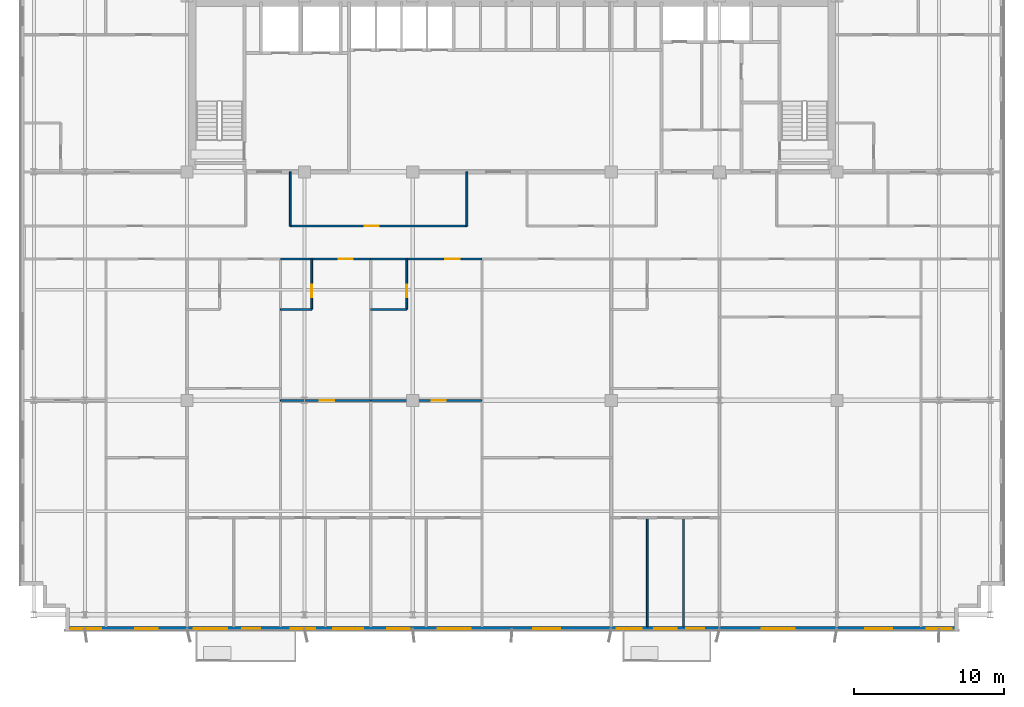
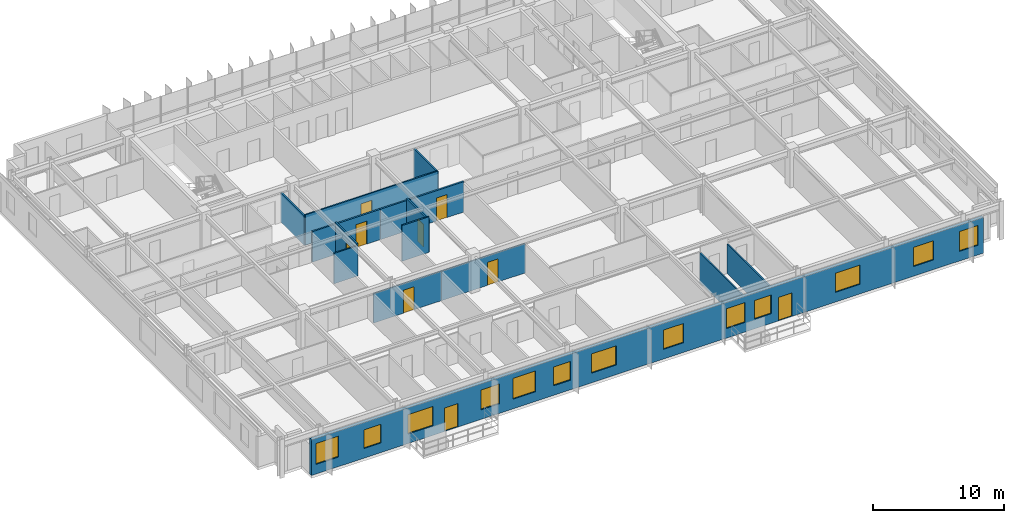
# One storey, part 15 of 22: 14 walls, 13 windows, 9 doors, 22 openings.
"""IFC4 building model written with IfcOpenShell, lengths in metres."""

import ifcopenshell
import ifcopenshell.guid

model = None  # the IFC model being written
_history = None  # IfcOwnerHistory: only IFC2X3 demands one
_inside = {}  # id of a spatial element -> (the spatial element, [elements in it])
_under = {}  # id of a project, library or spatial element -> (it, [spatial elements below it])
_declared = {}  # id of a project -> (the project, [libraries it declares])
_typed = {}  # id of a type object -> (the type object, [elements of that type])
_made_of = {}  # id of a material, layer set ... -> (it, [elements and type objects made of it])


def new_model(schema):
    """Start an empty IFC model of exactly this schema.

    Asked for "IFC4X3", IfcOpenShell would pick the latest addendum, in which some entities
    have other attributes; the version numbers below select the first issue.
    IFC2X3 requires an IfcOwnerHistory on every rooted entity: one is made here for all.
    """
    global model, _history
    if schema == "IFC4X3":
        model = ifcopenshell.file(schema_version=(4, 3, 0, 0))
    else:
        model = ifcopenshell.file(schema=schema)
    _inside.clear()
    _under.clear()
    _declared.clear()
    _typed.clear()
    _made_of.clear()
    _history = None
    if model.schema == "IFC2X3":
        org = make("IfcOrganization", Name="unknown")
        user = make(
            "IfcPersonAndOrganization",
            ThePerson=make("IfcPerson", FamilyName="unknown"),
            TheOrganization=org,
        )
        app = make(
            "IfcApplication",
            ApplicationDeveloper=org,
            Version="unknown",
            ApplicationFullName="unknown",
            ApplicationIdentifier="unknown",
        )
        _history = make(
            "IfcOwnerHistory",
            OwningUser=user,
            OwningApplication=app,
            ChangeAction="ADDED",
            CreationDate=0,
        )
    return model


def make(cls, **values):
    """One entity of the class cls with the attributes given. An attribute that is None is left unset."""
    return model.create_entity(
        cls, **{name: value for name, value in values.items() if value is not None}
    )


def rooted(cls, **values):
    """An entity with a GlobalId (a new one), such as an element, a storey or a relation."""
    return make(cls, GlobalId=ifcopenshell.guid.new(), OwnerHistory=_history, **values)


def si_unit(unit_type, name, prefix=None):
    """IfcSIUnit, for example si_unit("LENGTHUNIT", "METRE", prefix="MILLI")."""
    return make("IfcSIUnit", UnitType=unit_type, Prefix=prefix, Name=name)


def assignment(units):
    """IfcUnitAssignment: the units of a project."""
    return None if units is None else make("IfcUnitAssignment", Units=units)


def point(xyz):
    """IfcCartesianPoint."""
    return None if xyz is None else make("IfcCartesianPoint", Coordinates=xyz)


def direction(xyz):
    """IfcDirection."""
    return None if xyz is None else make("IfcDirection", DirectionRatios=xyz)


def frame(location, z_axis=None, x_axis=None):
    """IfcAxis2Placement3D, a coordinate frame: its origin and axes. An axis left out is left unset."""
    return make(
        "IfcAxis2Placement3D",
        Location=point(location),
        Axis=direction(z_axis),
        RefDirection=direction(x_axis),
    )


def frame_2d(location, x_axis=None):
    """IfcAxis2Placement2D, a coordinate frame in the plane: its origin and x axis."""
    return make(
        "IfcAxis2Placement2D", Location=point(location), RefDirection=direction(x_axis)
    )


def origin():
    """The frame at (0, 0, 0) with its axes left unset."""
    return frame((0.0, 0.0, 0.0))


def place(relative_to, where):
    """IfcLocalPlacement: puts the frame where relative to a parent placement (None: the world)."""
    return make(
        "IfcLocalPlacement", PlacementRelTo=relative_to, RelativePlacement=where
    )


def context(
    kind, dimensions, precision=None, world=None, true_north=None, identifier=None
):
    """IfcGeometricRepresentationContext, for example the 3D "Model" context."""
    return make(
        "IfcGeometricRepresentationContext",
        ContextIdentifier=identifier,
        ContextType=kind,
        CoordinateSpaceDimension=dimensions,
        Precision=precision,
        WorldCoordinateSystem=world,
        TrueNorth=true_north,
    )


def subcontext(parent, identifier, kind, view, scale=None):
    """IfcGeometricRepresentationSubContext, for example "Body" below "Model"."""
    return make(
        "IfcGeometricRepresentationSubContext",
        ContextIdentifier=identifier,
        ContextType=kind,
        ParentContext=parent,
        TargetScale=scale,
        TargetView=view,
    )


def project(units=None, contexts=None):
    """IfcProject with its units and contexts."""
    return rooted(
        "IfcProject",
        Name="project",
        RepresentationContexts=contexts,
        UnitsInContext=assignment(units),
    )


def spatial(cls, under=None, at=None, **own):
    """A site, building, storey or space (cls), placed at a placement, below another one or the project."""
    s = rooted(cls, ObjectPlacement=at, **own)
    if under is not None:
        _under.setdefault(under.id(), (under, []))[1].append(s)
    return s


def profile(cls, at=None, kind="AREA", **sizes):
    """A parametric profile (cls). Its sizes go by their IFC names, for example OverallWidth=200.0."""
    return make(cls, ProfileType=kind, Position=at, **sizes)


def rectangle(**sizes):
    """IfcRectangleProfileDef."""
    return profile("IfcRectangleProfileDef", **sizes)


def extrude(swept, where, along, depth):
    """IfcExtrudedAreaSolid: the profile swept, set in the frame where, extruded along a direction by depth."""
    return make(
        "IfcExtrudedAreaSolid",
        SweptArea=swept,
        Position=where,
        ExtrudedDirection=direction(along),
        Depth=depth,
    )


def shape(context_of_items, identifier, shape_type, items):
    """IfcShapeRepresentation: the items that make up one representation, for example the "Body"."""
    return make(
        "IfcShapeRepresentation",
        ContextOfItems=context_of_items,
        RepresentationIdentifier=identifier,
        RepresentationType=shape_type,
        Items=items,
    )


def source(mapping_origin, context_of_items, identifier, shape_type, items):
    """IfcRepresentationMap: a shape defined once, which mapped items show again and again."""
    return make(
        "IfcRepresentationMap",
        MappingOrigin=mapping_origin,
        MappedRepresentation=shape(context_of_items, identifier, shape_type, items),
    )


def transform(
    local_origin,
    x_axis=None,
    y_axis=None,
    z_axis=None,
    scale=None,
    scale2=None,
    scale3=None,
    uniform=True,
):
    """IfcCartesianTransformationOperator3D, or its non-uniform kind. x_axis, y_axis, z_axis: its Axis1, 2, 3."""
    if uniform:
        return make(
            "IfcCartesianTransformationOperator3D",
            Axis1=direction(x_axis),
            Axis2=direction(y_axis),
            LocalOrigin=point(local_origin),
            Scale=scale,
            Axis3=direction(z_axis),
        )
    return make(
        "IfcCartesianTransformationOperator3DnonUniform",
        Axis1=direction(x_axis),
        Axis2=direction(y_axis),
        LocalOrigin=point(local_origin),
        Scale=scale,
        Axis3=direction(z_axis),
        Scale2=scale2,
        Scale3=scale3,
    )


def mapped(mapping_source, mapping_target):
    """IfcMappedItem: shows the shape of a source again, moved by a transform."""
    return make(
        "IfcMappedItem", MappingSource=mapping_source, MappingTarget=mapping_target
    )


def material(Name=None, Category=None):
    """IfcMaterial."""
    return make("IfcMaterial", Name=Name, Category=Category)


def layer(
    of_material, thickness, ventilated=None, Name=None, Category=None, Priority=None
):
    """IfcMaterialLayer: one layer of a wall or slab, of a material (None: an air gap)."""
    return make(
        "IfcMaterialLayer",
        Material=of_material,
        LayerThickness=thickness,
        IsVentilated=ventilated,
        Name=Name,
        Category=Category,
        Priority=Priority,
    )


def layer_set(layers, Name=None):
    """IfcMaterialLayerSet."""
    return make("IfcMaterialLayerSet", MaterialLayers=layers, LayerSetName=Name)


def made_of(thing, what):
    """Note that an element or type object is made of a material, layer set ...; save() writes the relation."""
    if what is not None:
        _made_of.setdefault(what.id(), (what, []))[1].append(thing)
    return thing


def type_object(cls, material=None, **own):
    """A type object (cls), such as IfcWallType, which elements share."""
    return made_of(rooted(cls, **own), material)


def element(
    cls,
    number,
    at=None,
    inside=None,
    cuts=None,
    type_object=None,
    material=None,
    context=None,
    identifier="Body",
    shape_type=None,
    held_by="IfcProductDefinitionShape",
    body=None,
    shapes=None,
    **own,
):
    """One element of the class cls, such as IfcWall. Its Tag is "e" and its number.

    at: its placement. inside: the storey or other place that contains it. cuts: it is an
    opening in that element (IfcRelVoidsElement). A single representation is given by context,
    identifier, shape_type and body (its items); several are given by shapes. held_by: the class
    of the entity that holds the representations. save() writes the other relations.
    """
    e = rooted(cls, Tag="e%d" % number, ObjectPlacement=at, **own)
    if body is not None:
        shapes = [shape(context, identifier, shape_type, body)]
    if shapes is not None:
        e.Representation = make(held_by, Representations=shapes)
    if inside is not None:
        _inside.setdefault(inside.id(), (inside, []))[1].append(e)
    if cuts is not None:
        rooted(
            "IfcRelVoidsElement", RelatingBuildingElement=cuts, RelatedOpeningElement=e
        )
    if type_object is not None:
        _typed.setdefault(type_object.id(), (type_object, []))[1].append(e)
    return made_of(e, material)


def fill(opening, filler):
    """IfcRelFillsElement: the door or window that sits in an opening."""
    return rooted(
        "IfcRelFillsElement",
        RelatingOpeningElement=opening,
        RelatedBuildingElement=filler,
    )


def aggregate(whole, parts):
    """IfcRelAggregates: a whole, such as a stair, and the parts it consists of."""
    return rooted("IfcRelAggregates", RelatingObject=whole, RelatedObjects=parts)


def save(model, path):
    """Write the relations noted so far, then the file.

    IfcRelAggregates (storeys below a building ...), IfcRelContainedInSpatialStructure (elements
    in a storey), IfcRelDefinesByType, IfcRelAssociatesMaterial and IfcRelDeclares: one each for
    every whole, place, type object, material and project.
    """
    for whole, parts in _under.values():
        aggregate(whole, parts)
    for where, things in _inside.values():
        rooted(
            "IfcRelContainedInSpatialStructure",
            RelatedElements=things,
            RelatingStructure=where,
        )
    for kind, things in _typed.values():
        rooted("IfcRelDefinesByType", RelatedObjects=things, RelatingType=kind)
    for what, things in _made_of.values():
        rooted("IfcRelAssociatesMaterial", RelatedObjects=things, RelatingMaterial=what)
    for by, libraries in _declared.values():
        rooted("IfcRelDeclares", RelatingContext=by, RelatedDefinitions=libraries)
    model.write(path)


model = new_model("IFC4")

# Units and contexts
model_context = context("Model", 3, precision=1e-05, world=origin(), true_north=direction((0.0, 1.0)))
body_context = subcontext(model_context, "Body", "Model", "MODEL_VIEW")
ifc_project = project(units=[si_unit("LENGTHUNIT", "METRE"), si_unit("AREAUNIT", "SQUARE_METRE"), si_unit("VOLUMEUNIT", "CUBIC_METRE"), si_unit("PLANEANGLEUNIT", "RADIAN"), si_unit("MASSUNIT", "GRAM", prefix="KILO")], contexts=[model_context])

# Site, building, storey
site_placement = place(None, origin())
site = spatial("IfcSite", under=ifc_project, at=site_placement, CompositionType="ELEMENT")
building_placement = place(site_placement, origin())
building = spatial("IfcBuilding", under=site, at=building_placement, Name="Trelvane Seafront Commons", CompositionType="ELEMENT")
storey_placement = place(building_placement, frame((0.0, 0.0, 114.10009765625)))
storey = spatial("IfcBuildingStorey", under=building, at=storey_placement, Name="L29", CompositionType="ELEMENT", Elevation=114.10009765625)

# Wall, openings, doors, windows
ifc_material_1 = material(Name="Precast concrete C40/50", Category="concrete")
ifc_layer_1 = layer(ifc_material_1, 0.260009765625, Name="ARCH-WALL-EXT260")
ifc_layer_set_1 = layer_set([ifc_layer_1], Name="Precast concrete C40/50")
wall_type_1 = type_object("IfcWallType", Name="ARCH-WALL-EXT260", PredefinedType="SOLIDWALL", material=ifc_layer_set_1)
wall_1_placement = place(storey_placement, frame((66.89990234375, 3.030029296875, 0.0), z_axis=(0.0, 0.0, 1.0), x_axis=(-1.0, 0.0, 0.0)))
wall_1 = element("IfcWall", 1, at=wall_1_placement, inside=storey, type_object=wall_type_1, Name="EW-L29-00557", PredefinedType="SOLIDWALL", context=body_context, shape_type="SweptSolid", body=[
    extrude(rectangle(XDim=59.39990234375, YDim=0.260009765625, at=frame_2d((29.699951171875, 0.0))), origin(), (0.0, 0.0, 1.0), 3.33984375),
])
opening_1_placement = place(wall_1_placement, frame((0.469970703125, 0.0, 0.89990234375)))
opening_1 = element("IfcOpeningElement", 2, at=opening_1_placement, cuts=wall_1, Name="Opening W07", PredefinedType="OPENING", context=body_context, shape_type="SweptSolid", body=[
    extrude(rectangle(XDim=1.64990234375, YDim=1.85009765625, at=frame_2d((0.824951171875, 0.925048828125))), frame((0.0, 0.139892578125, 0.0), z_axis=(0.0, -1.0, 0.0), x_axis=(1.0, 0.0, 0.0)), (0.0, 0.0, 1.0), 0.280029296875),
])
opening_2_placement = place(wall_1_placement, frame((4.39990234375, 0.0, 0.89990234375)))
opening_2 = element("IfcOpeningElement", 3, at=opening_2_placement, cuts=wall_1, Name="Opening W01", PredefinedType="OPENING", context=body_context, shape_type="SweptSolid", body=[
    extrude(rectangle(XDim=1.800048828125, YDim=1.800048828125, at=frame_2d((0.89990234375, 0.89990234375))), frame((0.0, 0.139892578125, 0.0), z_axis=(0.0, -1.0, 0.0), x_axis=(1.0, 0.0, 0.0)), (0.0, 0.0, 1.0), 0.280029296875),
])
opening_3_placement = place(wall_1_placement, frame((10.89990234375, 0.0, 0.89990234375)))
opening_3 = element("IfcOpeningElement", 4, at=opening_3_placement, cuts=wall_1, Name="Opening W02", PredefinedType="OPENING", context=body_context, shape_type="SweptSolid", body=[
    extrude(rectangle(XDim=2.199951171875, YDim=1.800048828125, at=frame_2d((1.10009765625, 0.89990234375))), frame((0.0, 0.139892578125, 0.0), z_axis=(0.0, -1.0, 0.0), x_axis=(1.0, 0.0, 0.0)), (0.0, 0.0, 1.0), 0.280029296875),
])
opening_4_placement = place(wall_1_placement, frame((16.919921875, 0.0, 0.0)))
opening_4 = element("IfcOpeningElement", 5, at=opening_4_placement, cuts=wall_1, Name="Opening BD-L29-70", PredefinedType="OPENING", context=body_context, shape_type="SweptSolid", body=[
    extrude(rectangle(XDim=1.199951171875, YDim=2.199951171875, at=frame_2d((0.60009765625, 1.10009765625))), frame((0.0, 0.139892578125, 0.0), z_axis=(0.0, -1.0, 0.0), x_axis=(1.0, 0.0, 0.0)), (0.0, 0.0, 1.0), 0.280029296875),
])
opening_5_placement = place(wall_1_placement, frame((18.75, 0.0, 0.89990234375)))
opening_5 = element("IfcOpeningElement", 6, at=opening_5_placement, cuts=wall_1, Name="Opening W03", PredefinedType="OPENING", context=body_context, shape_type="SweptSolid", body=[
    extrude(rectangle(XDim=1.5, YDim=1.75, at=frame_2d((0.75, 0.875))), frame((0.0, 0.139892578125, 0.0), z_axis=(0.0, -1.0, 0.0), x_axis=(1.0, 0.0, 0.0)), (0.0, 0.0, 1.0), 0.280029296875),
])
opening_6_placement = place(wall_1_placement, frame((21.074951171875, 0.0, 0.89990234375)))
opening_6 = element("IfcOpeningElement", 7, at=opening_6_placement, cuts=wall_1, Name="Opening W07", PredefinedType="OPENING", context=body_context, shape_type="SweptSolid", body=[
    extrude(rectangle(XDim=1.64990234375, YDim=1.85009765625, at=frame_2d((0.824951171875, 0.925048828125))), frame((0.0, 0.139892578125, 0.0), z_axis=(0.0, -1.0, 0.0), x_axis=(1.0, 0.0, 0.0)), (0.0, 0.0, 1.0), 0.280029296875),
])
opening_7_placement = place(wall_1_placement, frame((26.5, 0.0, 0.89990234375)))
opening_7 = element("IfcOpeningElement", 8, at=opening_7_placement, cuts=wall_1, Name="Opening W01", PredefinedType="OPENING", context=body_context, shape_type="SweptSolid", body=[
    extrude(rectangle(XDim=1.800048828125, YDim=1.800048828125, at=frame_2d((0.89990234375, 0.89990234375))), frame((0.0, 0.139892578125, 0.0), z_axis=(0.0, -1.0, 0.0), x_axis=(1.0, 0.0, 0.0)), (0.0, 0.0, 1.0), 0.280029296875),
])
opening_8_placement = place(wall_1_placement, frame((32.449951171875, 0.0, 0.89990234375)))
opening_8 = element("IfcOpeningElement", 9, at=opening_8_placement, cuts=wall_1, Name="Opening W02", PredefinedType="OPENING", context=body_context, shape_type="SweptSolid", body=[
    extrude(rectangle(XDim=2.199951171875, YDim=1.800048828125, at=frame_2d((1.10009765625, 0.89990234375))), frame((0.0, 0.139892578125, 0.0), z_axis=(0.0, -1.0, 0.0), x_axis=(1.0, 0.0, 0.0)), (0.0, 0.0, 1.0), 0.280029296875),
])
opening_9_placement = place(wall_1_placement, frame((36.5, 0.0, 0.89990234375)))
opening_9 = element("IfcOpeningElement", 10, at=opening_9_placement, cuts=wall_1, Name="Opening W03", PredefinedType="OPENING", context=body_context, shape_type="SweptSolid", body=[
    extrude(rectangle(XDim=1.5, YDim=1.75, at=frame_2d((0.75, 0.875))), frame((0.0, 0.139892578125, 0.0), z_axis=(0.0, -1.0, 0.0), x_axis=(1.0, 0.0, 0.0)), (0.0, 0.0, 1.0), 0.280029296875),
])
opening_10_placement = place(wall_1_placement, frame((39.60009765625, 0.0, 0.89990234375)))
opening_10 = element("IfcOpeningElement", 11, at=opening_10_placement, cuts=wall_1, Name="Opening W06", PredefinedType="OPENING", context=body_context, shape_type="SweptSolid", body=[
    extrude(rectangle(XDim=2.0, YDim=1.949951171875, at=frame_2d((1.0, 0.97509765625))), frame((0.0, 0.139892578125, 0.0), z_axis=(0.0, -1.0, 0.0), x_axis=(1.0, 0.0, 0.0)), (0.0, 0.0, 1.0), 0.280029296875),
])
opening_11_placement = place(wall_1_placement, frame((42.77490234375, 0.0, 0.89990234375)))
opening_11 = element("IfcOpeningElement", 12, at=opening_11_placement, cuts=wall_1, Name="Opening W07", PredefinedType="OPENING", context=body_context, shape_type="SweptSolid", body=[
    extrude(rectangle(XDim=1.64990234375, YDim=1.85009765625, at=frame_2d((0.824951171875, 0.925048828125))), frame((0.0, 0.139892578125, 0.0), z_axis=(0.0, -1.0, 0.0), x_axis=(1.0, 0.0, 0.0)), (0.0, 0.0, 1.0), 0.280029296875),
])
opening_12_placement = place(wall_1_placement, frame((46.43505859375, 0.0, 0.0)))
opening_12 = element("IfcOpeningElement", 13, at=opening_12_placement, cuts=wall_1, Name="Opening BD-L29-71", PredefinedType="OPENING", context=body_context, shape_type="SweptSolid", body=[
    extrude(rectangle(XDim=1.199951171875, YDim=2.199951171875, at=frame_2d((0.60009765625, 1.10009765625))), frame((0.0, 0.139892578125, 0.0), z_axis=(0.0, -1.0, 0.0), x_axis=(1.0, 0.0, 0.0)), (0.0, 0.0, 1.0), 0.280029296875),
])
opening_13_placement = place(wall_1_placement, frame((48.64990234375, 0.0, 0.89990234375)))
opening_13 = element("IfcOpeningElement", 14, at=opening_13_placement, cuts=wall_1, Name="Opening W02", PredefinedType="OPENING", context=body_context, shape_type="SweptSolid", body=[
    extrude(rectangle(XDim=2.199951171875, YDim=1.800048828125, at=frame_2d((1.10009765625, 0.89990234375))), frame((0.0, 0.139892578125, 0.0), z_axis=(0.0, -1.0, 0.0), x_axis=(1.0, 0.0, 0.0)), (0.0, 0.0, 1.0), 0.280029296875),
])
opening_14_placement = place(wall_1_placement, frame((53.25, 0.0, 0.89990234375)))
opening_14 = element("IfcOpeningElement", 15, at=opening_14_placement, cuts=wall_1, Name="Opening W03", PredefinedType="OPENING", context=body_context, shape_type="SweptSolid", body=[
    extrude(rectangle(XDim=1.5, YDim=1.75, at=frame_2d((0.75, 0.875))), frame((0.0, 0.139892578125, 0.0), z_axis=(0.0, -1.0, 0.0), x_axis=(1.0, 0.0, 0.0)), (0.0, 0.0, 1.0), 0.280029296875),
])
opening_15_placement = place(wall_1_placement, frame((57.0048828125, 0.0, 0.89990234375)))
opening_15 = element("IfcOpeningElement", 16, at=opening_15_placement, cuts=wall_1, Name="Opening W06", PredefinedType="OPENING", context=body_context, shape_type="SweptSolid", body=[
    extrude(rectangle(XDim=2.0, YDim=1.949951171875, at=frame_2d((1.0, 0.97509765625))), frame((0.0, 0.139892578125, 0.0), z_axis=(0.0, -1.0, 0.0), x_axis=(1.0, 0.0, 0.0)), (0.0, 0.0, 1.0), 0.280029296875),
])
ifc_material_2 = material(Name="Powder-coated aluminium frame", Category="aluminium")
door_type_1 = type_object("IfcDoorType", Name="ARCH-DR-BAL1200", OperationType="NOTDEFINED", PredefinedType="DOOR", material=ifc_material_2)
shared_shape_1 = source(origin(), body_context, "Body", "SweptSolid", [
    extrude(rectangle(XDim=1.199951171875, YDim=2.199951171875, at=frame_2d((0.60009765625, 1.10009765625))), frame((0.0, 0.02490234375, 0.0), z_axis=(0.0, -1.0, 0.0), x_axis=(1.0, 0.0, 0.0)), (0.0, 0.0, 1.0), 0.050048828125),
])
door_1_placement = place(opening_4_placement, origin())
door_1 = element("IfcDoor", 17, at=door_1_placement, inside=storey, type_object=door_type_1, Name="L29 Balcony Terrace Access Door", OperationType="SINGLE_SWING_LEFT", OverallHeight=2.199951171875, OverallWidth=1.199951171875, PredefinedType="DOOR", context=body_context, shape_type="MappedRepresentation", body=[
    mapped(shared_shape_1, transform((0.0, 0.0, 0.0), x_axis=(1.0, 0.0, 0.0), y_axis=(0.0, 1.0, 0.0), z_axis=(0.0, 0.0, 1.0), scale=1.0)),
])
fill(opening_4, door_1)
door_2_placement = place(opening_12_placement, origin())
door_2 = element("IfcDoor", 18, at=door_2_placement, inside=storey, type_object=door_type_1, Name="L29 Balcony Terrace Access Door", OperationType="SINGLE_SWING_LEFT", OverallHeight=2.199951171875, OverallWidth=1.199951171875, PredefinedType="DOOR", context=body_context, shape_type="MappedRepresentation", body=[
    mapped(shared_shape_1, transform((0.0, 0.0, 0.0), x_axis=(1.0, 0.0, 0.0), y_axis=(0.0, 1.0, 0.0), z_axis=(0.0, 0.0, 1.0), scale=1.0)),
])
fill(opening_12, door_2)
ifc_material_3 = material(Name="Low-E coastal double glazing", Category="glass")
window_type_1 = type_object("IfcWindowType", Name="ARCH-WIN-W02", PartitioningType="SINGLE_PANEL", PredefinedType="WINDOW", material=ifc_material_3)
shared_shape_2 = source(origin(), body_context, "Body", "SweptSolid", [
    extrude(rectangle(XDim=2.199951171875, YDim=1.800048828125, at=frame_2d((1.10009765625, 0.89990234375))), frame((0.0, 0.030029296875, 0.0), z_axis=(0.0, -1.0, 0.0), x_axis=(1.0, 0.0, 0.0)), (0.0, 0.0, 1.0), 0.06005859375),
])
window_1_placement = place(opening_3_placement, origin())
window_1 = element("IfcWindow", 19, at=window_1_placement, inside=storey, type_object=window_type_1, Name="WIN-L29-00654", OverallHeight=1.800048828125, OverallWidth=2.199951171875, PartitioningType="SINGLE_PANEL", PredefinedType="WINDOW", context=body_context, shape_type="MappedRepresentation", body=[
    mapped(shared_shape_2, transform((0.0, 0.0, 0.0), x_axis=(1.0, 0.0, 0.0), y_axis=(0.0, 1.0, 0.0), z_axis=(0.0, 0.0, 1.0), scale=1.0)),
])
fill(opening_3, window_1)
window_2_placement = place(opening_8_placement, origin())
window_2 = element("IfcWindow", 20, at=window_2_placement, inside=storey, type_object=window_type_1, Name="WIN-L29-00658", OverallHeight=1.800048828125, OverallWidth=2.199951171875, PartitioningType="SINGLE_PANEL", PredefinedType="WINDOW", context=body_context, shape_type="MappedRepresentation", body=[
    mapped(shared_shape_2, transform((0.0, 0.0, 0.0), x_axis=(1.0, 0.0, 0.0), y_axis=(0.0, 1.0, 0.0), z_axis=(0.0, 0.0, 1.0), scale=1.0)),
])
fill(opening_8, window_2)
window_3_placement = place(opening_13_placement, origin())
window_3 = element("IfcWindow", 21, at=window_3_placement, inside=storey, type_object=window_type_1, Name="WIN-L29-00662", OverallHeight=1.800048828125, OverallWidth=2.199951171875, PartitioningType="SINGLE_PANEL", PredefinedType="WINDOW", context=body_context, shape_type="MappedRepresentation", body=[
    mapped(shared_shape_2, transform((0.0, 0.0, 0.0), x_axis=(1.0, 0.0, 0.0), y_axis=(0.0, 1.0, 0.0), z_axis=(0.0, 0.0, 1.0), scale=1.0)),
])
fill(opening_13, window_3)
window_type_2 = type_object("IfcWindowType", Name="ARCH-WIN-W03", PartitioningType="SINGLE_PANEL", PredefinedType="WINDOW", material=ifc_material_3)
shared_shape_3 = source(origin(), body_context, "Body", "SweptSolid", [
    extrude(rectangle(XDim=1.5, YDim=1.75, at=frame_2d((0.75, 0.875))), frame((0.0, 0.030029296875, 0.0), z_axis=(0.0, -1.0, 0.0), x_axis=(1.0, 0.0, 0.0)), (0.0, 0.0, 1.0), 0.06005859375),
])
window_4_placement = place(opening_5_placement, origin())
window_4 = element("IfcWindow", 22, at=window_4_placement, inside=storey, type_object=window_type_2, Name="WIN-L29-00655", OverallHeight=1.75, OverallWidth=1.5, PartitioningType="SINGLE_PANEL", PredefinedType="WINDOW", context=body_context, shape_type="MappedRepresentation", body=[
    mapped(shared_shape_3, transform((0.0, 0.0, 0.0), x_axis=(1.0, 0.0, 0.0), y_axis=(0.0, 1.0, 0.0), z_axis=(0.0, 0.0, 1.0), scale=1.0)),
])
fill(opening_5, window_4)
window_5_placement = place(opening_9_placement, origin())
window_5 = element("IfcWindow", 23, at=window_5_placement, inside=storey, type_object=window_type_2, Name="WIN-L29-00659", OverallHeight=1.75, OverallWidth=1.5, PartitioningType="SINGLE_PANEL", PredefinedType="WINDOW", context=body_context, shape_type="MappedRepresentation", body=[
    mapped(shared_shape_3, transform((0.0, 0.0, 0.0), x_axis=(1.0, 0.0, 0.0), y_axis=(0.0, 1.0, 0.0), z_axis=(0.0, 0.0, 1.0), scale=1.0)),
])
fill(opening_9, window_5)
window_6_placement = place(opening_14_placement, origin())
window_6 = element("IfcWindow", 24, at=window_6_placement, inside=storey, type_object=window_type_2, Name="WIN-L29-00663", OverallHeight=1.75, OverallWidth=1.5, PartitioningType="SINGLE_PANEL", PredefinedType="WINDOW", context=body_context, shape_type="MappedRepresentation", body=[
    mapped(shared_shape_3, transform((0.0, 0.0, 0.0), x_axis=(1.0, 0.0, 0.0), y_axis=(0.0, 1.0, 0.0), z_axis=(0.0, 0.0, 1.0), scale=1.0)),
])
fill(opening_14, window_6)
window_type_3 = type_object("IfcWindowType", Name="ARCH-WIN-W06", PartitioningType="SINGLE_PANEL", PredefinedType="WINDOW", material=ifc_material_3)
shared_shape_4 = source(origin(), body_context, "Body", "SweptSolid", [
    extrude(rectangle(XDim=2.0, YDim=1.949951171875, at=frame_2d((1.0, 0.97509765625))), frame((0.0, 0.030029296875, 0.0), z_axis=(0.0, -1.0, 0.0), x_axis=(1.0, 0.0, 0.0)), (0.0, 0.0, 1.0), 0.06005859375),
])
window_7_placement = place(opening_10_placement, origin())
window_7 = element("IfcWindow", 25, at=window_7_placement, inside=storey, type_object=window_type_3, Name="WIN-L29-00660", OverallHeight=1.949951171875, OverallWidth=2.0, PartitioningType="SINGLE_PANEL", PredefinedType="WINDOW", context=body_context, shape_type="MappedRepresentation", body=[
    mapped(shared_shape_4, transform((0.0, 0.0, 0.0), x_axis=(1.0, 0.0, 0.0), y_axis=(0.0, 1.0, 0.0), z_axis=(0.0, 0.0, 1.0), scale=1.0)),
])
fill(opening_10, window_7)
window_8_placement = place(opening_15_placement, origin())
window_8 = element("IfcWindow", 26, at=window_8_placement, inside=storey, type_object=window_type_3, Name="WIN-L29-00664", OverallHeight=1.949951171875, OverallWidth=2.0, PartitioningType="SINGLE_PANEL", PredefinedType="WINDOW", context=body_context, shape_type="MappedRepresentation", body=[
    mapped(shared_shape_4, transform((0.0, 0.0, 0.0), x_axis=(1.0, 0.0, 0.0), y_axis=(0.0, 1.0, 0.0), z_axis=(0.0, 0.0, 1.0), scale=1.0)),
])
fill(opening_15, window_8)
window_type_4 = type_object("IfcWindowType", Name="ARCH-WIN-W01", PartitioningType="SINGLE_PANEL", PredefinedType="WINDOW", material=ifc_material_3)
shared_shape_5 = source(origin(), body_context, "Body", "SweptSolid", [
    extrude(rectangle(XDim=1.800048828125, YDim=1.800048828125, at=frame_2d((0.89990234375, 0.89990234375))), frame((0.0, 0.030029296875, 0.0), z_axis=(0.0, -1.0, 0.0), x_axis=(1.0, 0.0, 0.0)), (0.0, 0.0, 1.0), 0.06005859375),
])
window_9_placement = place(opening_2_placement, origin())
window_9 = element("IfcWindow", 27, at=window_9_placement, inside=storey, type_object=window_type_4, Name="WIN-L29-00653", OverallHeight=1.800048828125, OverallWidth=1.800048828125, PartitioningType="SINGLE_PANEL", PredefinedType="WINDOW", context=body_context, shape_type="MappedRepresentation", body=[
    mapped(shared_shape_5, transform((0.0, 0.0, 0.0), x_axis=(1.0, 0.0, 0.0), y_axis=(0.0, 1.0, 0.0), z_axis=(0.0, 0.0, 1.0), scale=1.0)),
])
fill(opening_2, window_9)
window_10_placement = place(opening_7_placement, origin())
window_10 = element("IfcWindow", 28, at=window_10_placement, inside=storey, type_object=window_type_4, Name="WIN-L29-00657", OverallHeight=1.800048828125, OverallWidth=1.800048828125, PartitioningType="SINGLE_PANEL", PredefinedType="WINDOW", context=body_context, shape_type="MappedRepresentation", body=[
    mapped(shared_shape_5, transform((0.0, 0.0, 0.0), x_axis=(1.0, 0.0, 0.0), y_axis=(0.0, 1.0, 0.0), z_axis=(0.0, 0.0, 1.0), scale=1.0)),
])
fill(opening_7, window_10)
window_type_5 = type_object("IfcWindowType", Name="ARCH-WIN-W07", PartitioningType="SINGLE_PANEL", PredefinedType="WINDOW", material=ifc_material_3)
shared_shape_6 = source(origin(), body_context, "Body", "SweptSolid", [
    extrude(rectangle(XDim=1.64990234375, YDim=1.85009765625, at=frame_2d((0.824951171875, 0.925048828125))), frame((0.0, 0.030029296875, 0.0), z_axis=(0.0, -1.0, 0.0), x_axis=(1.0, 0.0, 0.0)), (0.0, 0.0, 1.0), 0.06005859375),
])
window_11_placement = place(opening_1_placement, origin())
window_11 = element("IfcWindow", 29, at=window_11_placement, inside=storey, type_object=window_type_5, Name="WIN-L29-00652", OverallHeight=1.85009765625, OverallWidth=1.64990234375, PartitioningType="SINGLE_PANEL", PredefinedType="WINDOW", context=body_context, shape_type="MappedRepresentation", body=[
    mapped(shared_shape_6, transform((0.0, 0.0, 0.0), x_axis=(1.0, 0.0, 0.0), y_axis=(0.0, 1.0, 0.0), z_axis=(0.0, 0.0, 1.0), scale=1.0)),
])
fill(opening_1, window_11)
window_12_placement = place(opening_6_placement, origin())
window_12 = element("IfcWindow", 30, at=window_12_placement, inside=storey, type_object=window_type_5, Name="WIN-L29-00656", OverallHeight=1.85009765625, OverallWidth=1.64990234375, PartitioningType="SINGLE_PANEL", PredefinedType="WINDOW", context=body_context, shape_type="MappedRepresentation", body=[
    mapped(shared_shape_6, transform((0.0, 0.0, 0.0), x_axis=(1.0, 0.0, 0.0), y_axis=(0.0, 1.0, 0.0), z_axis=(0.0, 0.0, 1.0), scale=1.0)),
])
fill(opening_6, window_12)
window_13_placement = place(opening_11_placement, origin())
window_13 = element("IfcWindow", 31, at=window_13_placement, inside=storey, type_object=window_type_5, Name="WIN-L29-00661", OverallHeight=1.85009765625, OverallWidth=1.64990234375, PartitioningType="SINGLE_PANEL", PredefinedType="WINDOW", context=body_context, shape_type="MappedRepresentation", body=[
    mapped(shared_shape_6, transform((0.0, 0.0, 0.0), x_axis=(1.0, 0.0, 0.0), y_axis=(0.0, 1.0, 0.0), z_axis=(0.0, 0.0, 1.0), scale=1.0)),
])
fill(opening_11, window_13)

# Wall, opening, door
ifc_material_4 = material(Name="Gypsum Drywall Acoustic Partition")
ifc_layer_2 = layer(ifc_material_4, 0.1201171875, Name="ARCH-WALL-PART120")
ifc_layer_set_2 = layer_set([ifc_layer_2], Name="Gypsum Drywall Acoustic Partition")
wall_type_2 = type_object("IfcWallType", Name="ARCH-WALL-PART120", PredefinedType="PARTITIONING", material=ifc_layer_set_2)
wall_2_placement = place(storey_placement, frame((22.449951171875, 29.800048828125, 0.0), z_axis=(0.0, 0.0, 1.0), x_axis=(1.0, 0.0, 0.0)))
wall_2 = element("IfcWall", 32, at=wall_2_placement, inside=storey, type_object=wall_type_2, Name="W-L29-CORR-N-M1-039", PredefinedType="PARTITIONING", context=body_context, shape_type="SweptSolid", body=[
    extrude(rectangle(XDim=11.75, YDim=0.1201171875, at=frame_2d((5.875, 0.0))), origin(), (0.0, 0.0, 1.0), 2.83984375),
])
opening_16_placement = place(wall_2_placement, frame((4.944091796875, 0.0, 0.0)))
opening_16 = element("IfcOpeningElement", 33, at=opening_16_placement, cuts=wall_2, Name="Opening D-L29-19", PredefinedType="OPENING", context=body_context, shape_type="SweptSolid", body=[
    extrude(rectangle(XDim=0.949951171875, YDim=2.14990234375, at=frame_2d((0.47509765625, 1.074951171875))), frame((0.0, 0.070068359375, 0.0), z_axis=(0.0, -1.0, 0.0), x_axis=(1.0, 0.0, 0.0)), (0.0, 0.0, 1.0), 0.14013671875),
])
ifc_material_5 = material(Name="Acoustic timber door leaf", Category="wood")
door_type_2 = type_object("IfcDoorType", Name="ARCH-DR-INT950", OperationType="NOTDEFINED", PredefinedType="DOOR", material=ifc_material_5)
shared_shape_7 = source(origin(), body_context, "Body", "SweptSolid", [
    extrude(rectangle(XDim=0.949951171875, YDim=2.14990234375, at=frame_2d((0.47509765625, 1.074951171875))), frame((0.0, 0.02490234375, 0.0), z_axis=(0.0, -1.0, 0.0), x_axis=(1.0, 0.0, 0.0)), (0.0, 0.0, 1.0), 0.050048828125),
])
door_3_placement = place(opening_16_placement, origin())
door_3 = element("IfcDoor", 34, at=door_3_placement, inside=storey, type_object=door_type_2, Name="L29 Door 19", OperationType="SINGLE_SWING_LEFT", OverallHeight=2.14990234375, OverallWidth=0.949951171875, PredefinedType="DOOR", context=body_context, shape_type="MappedRepresentation", body=[
    mapped(shared_shape_7, transform((0.0, 0.0, 0.0), x_axis=(1.0, 0.0, 0.0), y_axis=(0.0, 1.0, 0.0), z_axis=(0.0, 0.0, 1.0), scale=1.0)),
])
fill(opening_16, door_3)

# Walls
for number, where, z_axis, x_axis, name in (
    (35, (22.449951171875, 29.800048828125, 0.0), (0.0, 0.0, 1.0), (0.0, 1.0, 0.0), "W-L29-N-SPUR-W2-044"),
    (36, (34.199951171875, 29.800048828125, 0.0), (0.0, 0.0, 1.0), (0.0, 1.0, 0.0), "W-L29-N-SPUR-M1-045"),
):
    element("IfcWall", number, at=place(storey_placement, frame(where, z_axis=z_axis, x_axis=x_axis)), inside=storey, type_object=wall_type_2, Name=name, PredefinedType="PARTITIONING", context=body_context, shape_type="SweptSolid", body=[
        extrude(rectangle(XDim=3.599853515625, YDim=0.1201171875, at=frame_2d((1.7998046875, 0.0))), origin(), (0.0, 0.0, 1.0), 2.751953125),
    ])

# Wall, opening, door
wall_3_placement = place(storey_placement, frame((21.800048828125, 18.199951171875, 0.0), z_axis=(0.0, 0.0, 1.0), x_axis=(1.0, 0.0, 0.0)))
wall_3 = element("IfcWall", 37, at=wall_3_placement, inside=storey, type_object=wall_type_2, Name="W-L29-U4-KL-084", PredefinedType="PARTITIONING", context=body_context, shape_type="SweptSolid", body=[
    extrude(rectangle(XDim=6.0, YDim=0.1201171875, at=frame_2d((3.0, 0.0))), origin(), (0.0, 0.0, 1.0), 2.751953125),
])
opening_17_placement = place(wall_3_placement, frame((2.617919921875, 0.0, 0.0)))
opening_17 = element("IfcOpeningElement", 38, at=opening_17_placement, cuts=wall_3, Name="Opening D-L29-43", PredefinedType="OPENING", context=body_context, shape_type="SweptSolid", body=[
    extrude(rectangle(XDim=0.949951171875, YDim=2.14990234375, at=frame_2d((0.47509765625, 1.074951171875))), frame((0.0, 0.070068359375, 0.0), z_axis=(0.0, -1.0, 0.0), x_axis=(1.0, 0.0, 0.0)), (0.0, 0.0, 1.0), 0.14013671875),
])
door_4_placement = place(opening_17_placement, origin())
door_4 = element("IfcDoor", 39, at=door_4_placement, inside=storey, type_object=door_type_2, Name="L29 Door 43", OperationType="SINGLE_SWING_LEFT", OverallHeight=2.14990234375, OverallWidth=0.949951171875, PredefinedType="DOOR", context=body_context, shape_type="MappedRepresentation", body=[
    mapped(shared_shape_7, transform((0.0, 0.0, 0.0), x_axis=(1.0, 0.0, 0.0), y_axis=(0.0, 1.0, 0.0), z_axis=(0.0, 0.0, 1.0), scale=1.0)),
])
fill(opening_17, door_4)

wall_4_placement = place(storey_placement, frame((23.889892578125, 24.25, 0.0), z_axis=(0.0, 0.0, 1.0), x_axis=(0.0, 1.0, 0.0)))
wall_4 = element("IfcWall", 40, at=wall_4_placement, inside=storey, type_object=wall_type_2, Name="W-L29-U4-BE-085", PredefinedType="PARTITIONING", context=body_context, shape_type="SweptSolid", body=[
    extrude(rectangle(XDim=3.35009765625, YDim=0.1201171875, at=frame_2d((1.675048828125, 0.0))), origin(), (0.0, 0.0, 1.0), 2.989990234375),
])
opening_18_placement = place(wall_4_placement, frame((0.800048828125, 0.0, 0.0)))
opening_18 = element("IfcOpeningElement", 41, at=opening_18_placement, cuts=wall_4, Name="Opening D-L29-44", PredefinedType="OPENING", context=body_context, shape_type="SweptSolid", body=[
    extrude(rectangle(XDim=0.85009765625, YDim=2.10009765625, at=frame_2d((0.425048828125, 1.050048828125))), frame((0.0, 0.070068359375, 0.0), z_axis=(0.0, -1.0, 0.0), x_axis=(1.0, 0.0, 0.0)), (0.0, 0.0, 1.0), 0.14013671875),
])
door_type_3 = type_object("IfcDoorType", Name="ARCH-DR-INT850", OperationType="NOTDEFINED", PredefinedType="DOOR", material=ifc_material_5)
shared_shape_8 = source(origin(), body_context, "Body", "SweptSolid", [
    extrude(rectangle(XDim=0.85009765625, YDim=2.10009765625, at=frame_2d((0.425048828125, 1.050048828125))), frame((0.0, 0.02490234375, 0.0), z_axis=(0.0, -1.0, 0.0), x_axis=(1.0, 0.0, 0.0)), (0.0, 0.0, 1.0), 0.050048828125),
])
door_5_placement = place(opening_18_placement, origin())
door_5 = element("IfcDoor", 42, at=door_5_placement, inside=storey, type_object=door_type_3, Name="L29 Door 44", OperationType="SINGLE_SWING_RIGHT", OverallHeight=2.10009765625, OverallWidth=0.85009765625, PredefinedType="DOOR", context=body_context, shape_type="MappedRepresentation", body=[
    mapped(shared_shape_8, transform((0.0, 0.0, 0.0), x_axis=(1.0, 0.0, 0.0), y_axis=(0.0, 1.0, 0.0), z_axis=(0.0, 0.0, 1.0), scale=1.0)),
])
fill(opening_18, door_5)

# Wall
wall_5_placement = place(storey_placement, frame((21.800048828125, 24.25, 0.0), z_axis=(0.0, 0.0, 1.0), x_axis=(1.0, 0.0, 0.0)))
element("IfcWall", 43, at=wall_5_placement, inside=storey, type_object=wall_type_2, Name="W-L29-U4-BS-086", PredefinedType="PARTITIONING", context=body_context, shape_type="SweptSolid", body=[
    extrude(rectangle(XDim=2.08984375, YDim=0.1201171875, at=frame_2d((1.044921875, 0.0))), origin(), (0.0, 0.0, 1.0), 2.83984375),
])

# Wall, opening, door
wall_6_placement = place(storey_placement, frame((27.800048828125, 18.199951171875, 0.0), z_axis=(0.0, 0.0, 1.0), x_axis=(1.0, 0.0, 0.0)))
wall_6 = element("IfcWall", 44, at=wall_6_placement, inside=storey, type_object=wall_type_2, Name="W-L29-U5-KL-091", PredefinedType="PARTITIONING", context=body_context, shape_type="SweptSolid", body=[
    extrude(rectangle(XDim=7.39990234375, YDim=0.1201171875, at=frame_2d((3.699951171875, 0.0))), origin(), (0.0, 0.0, 1.0), 2.751953125),
])
opening_19_placement = place(wall_6_placement, frame((4.051025390625, 0.0, 0.0)))
opening_19 = element("IfcOpeningElement", 45, at=opening_19_placement, cuts=wall_6, Name="Opening D-L29-48", PredefinedType="OPENING", context=body_context, shape_type="SweptSolid", body=[
    extrude(rectangle(XDim=0.949951171875, YDim=2.14990234375, at=frame_2d((0.47509765625, 1.074951171875))), frame((0.0, 0.070068359375, 0.0), z_axis=(0.0, -1.0, 0.0), x_axis=(1.0, 0.0, 0.0)), (0.0, 0.0, 1.0), 0.14013671875),
])
door_6_placement = place(opening_19_placement, origin())
door_6 = element("IfcDoor", 46, at=door_6_placement, inside=storey, type_object=door_type_2, Name="L29 Door 48", OperationType="SINGLE_SWING_RIGHT", OverallHeight=2.14990234375, OverallWidth=0.949951171875, PredefinedType="DOOR", context=body_context, shape_type="MappedRepresentation", body=[
    mapped(shared_shape_7, transform((0.0, 0.0, 0.0), x_axis=(1.0, 0.0, 0.0), y_axis=(0.0, 1.0, 0.0), z_axis=(0.0, 0.0, 1.0), scale=1.0)),
])
fill(opening_19, door_6)

wall_7_placement = place(storey_placement, frame((30.199951171875, 24.25, 0.0), z_axis=(0.0, 0.0, 1.0), x_axis=(0.0, 1.0, 0.0)))
wall_7 = element("IfcWall", 47, at=wall_7_placement, inside=storey, type_object=wall_type_2, Name="W-L29-U5-BE-092", PredefinedType="PARTITIONING", context=body_context, shape_type="SweptSolid", body=[
    extrude(rectangle(XDim=3.35009765625, YDim=0.1201171875, at=frame_2d((1.675048828125, 0.0))), origin(), (0.0, 0.0, 1.0), 2.989990234375),
])
opening_20_placement = place(wall_7_placement, frame((0.800048828125, 0.0, 0.0)))
opening_20 = element("IfcOpeningElement", 48, at=opening_20_placement, cuts=wall_7, Name="Opening D-L29-49", PredefinedType="OPENING", context=body_context, shape_type="SweptSolid", body=[
    extrude(rectangle(XDim=0.85009765625, YDim=2.10009765625, at=frame_2d((0.425048828125, 1.050048828125))), frame((0.0, 0.070068359375, 0.0), z_axis=(0.0, -1.0, 0.0), x_axis=(1.0, 0.0, 0.0)), (0.0, 0.0, 1.0), 0.14013671875),
])
door_7_placement = place(opening_20_placement, origin())
door_7 = element("IfcDoor", 49, at=door_7_placement, inside=storey, type_object=door_type_3, Name="L29 Door 49", OperationType="SINGLE_SWING_LEFT", OverallHeight=2.10009765625, OverallWidth=0.85009765625, PredefinedType="DOOR", context=body_context, shape_type="MappedRepresentation", body=[
    mapped(shared_shape_8, transform((0.0, 0.0, 0.0), x_axis=(1.0, 0.0, 0.0), y_axis=(0.0, 1.0, 0.0), z_axis=(0.0, 0.0, 1.0), scale=1.0)),
])
fill(opening_20, door_7)

# Walls
wall_8_placement = place(storey_placement, frame((27.800048828125, 24.25, 0.0), z_axis=(0.0, 0.0, 1.0), x_axis=(1.0, 0.0, 0.0)))
element("IfcWall", 50, at=wall_8_placement, inside=storey, type_object=wall_type_2, Name="W-L29-U5-BS-093", PredefinedType="PARTITIONING", context=body_context, shape_type="SweptSolid", body=[
    extrude(rectangle(XDim=2.39990234375, YDim=0.1201171875, at=frame_2d((1.199951171875, 0.0))), origin(), (0.0, 0.0, 1.0), 3.33984375),
])
for number, where, z_axis, x_axis, name in (
    (51, (46.199951171875, 3.14501953125, 0.0), (0.0, 0.0, 1.0), (0.0, 1.0, 0.0), "W-L29-U7-BDV-1-106"),
    (52, (48.60009765625, 3.14501953125, 0.0), (0.0, 0.0, 1.0), (0.0, 1.0, 0.0), "W-L29-U7-BDV-2-108"),
):
    element("IfcWall", number, at=place(storey_placement, frame(where, z_axis=z_axis, x_axis=x_axis)), inside=storey, type_object=wall_type_2, Name=name, PredefinedType="PARTITIONING", context=body_context, shape_type="SweptSolid", body=[
        extrude(rectangle(XDim=7.2548828125, YDim=0.1201171875, at=frame_2d((3.62744140625, 0.0))), origin(), (0.0, 0.0, 1.0), 2.751953125),
    ])

# Wall, opening, door
ifc_layer_3 = layer(ifc_material_4, 0.14990234375, Name="ARCH-WALL-PART150")
ifc_layer_set_3 = layer_set([ifc_layer_3], Name="Gypsum Drywall Acoustic Partition")
wall_type_3 = type_object("IfcWallType", Name="ARCH-WALL-PART150", PredefinedType="PARTITIONING", material=ifc_layer_set_3)
wall_9_placement = place(storey_placement, frame((21.800048828125, 27.60009765625, 0.0), z_axis=(0.0, 0.0, 1.0), x_axis=(1.0, 0.0, 0.0)))
wall_9 = element("IfcWall", 53, at=wall_9_placement, inside=storey, type_object=wall_type_3, Name="W-L29-CS-BAY-4-087", PredefinedType="PARTITIONING", context=body_context, shape_type="SweptSolid", body=[
    extrude(rectangle(XDim=6.0, YDim=0.14990234375, at=frame_2d((3.0, 0.0))), origin(), (0.0, 0.0, 1.0), 2.83984375),
])
opening_21_placement = place(wall_9_placement, frame((3.864990234375, 0.0, 0.0)))
opening_21 = element("IfcOpeningElement", 54, at=opening_21_placement, cuts=wall_9, Name="Opening FD-L29-45", PredefinedType="OPENING", context=body_context, shape_type="SweptSolid", body=[
    extrude(rectangle(XDim=0.949951171875, YDim=2.14990234375, at=frame_2d((0.47509765625, 1.074951171875))), frame((0.0, 0.0849609375, 0.0), z_axis=(0.0, -1.0, 0.0), x_axis=(1.0, 0.0, 0.0)), (0.0, 0.0, 1.0), 0.169921875),
])
door_type_4 = type_object("IfcDoorType", Name="ARCH-DR-FD60-950", OperationType="NOTDEFINED", PredefinedType="DOOR", material=ifc_material_2)
door_8_placement = place(opening_21_placement, origin())
door_8 = element("IfcDoor", 55, at=door_8_placement, inside=storey, type_object=door_type_4, Name="L29 Unit 04 Entrance Door", OperationType="SINGLE_SWING_LEFT", OverallHeight=2.14990234375, OverallWidth=0.949951171875, PredefinedType="DOOR", context=body_context, shape_type="MappedRepresentation", body=[
    mapped(shared_shape_7, transform((0.0, 0.0, 0.0), x_axis=(1.0, 0.0, 0.0), y_axis=(0.0, 1.0, 0.0), z_axis=(0.0, 0.0, 1.0), scale=1.0)),
])
fill(opening_21, door_8)

wall_10_placement = place(storey_placement, frame((27.800048828125, 27.60009765625, 0.0), z_axis=(0.0, 0.0, 1.0), x_axis=(1.0, 0.0, 0.0)))
wall_10 = element("IfcWall", 56, at=wall_10_placement, inside=storey, type_object=wall_type_3, Name="W-L29-CS-BAY-5-094", PredefinedType="PARTITIONING", context=body_context, shape_type="SweptSolid", body=[
    extrude(rectangle(XDim=7.39990234375, YDim=0.14990234375, at=frame_2d((3.699951171875, 0.0))), origin(), (0.0, 0.0, 1.0), 2.83984375),
])
opening_22_placement = place(wall_10_placement, frame((4.967041015625, 0.0, 0.0)))
opening_22 = element("IfcOpeningElement", 57, at=opening_22_placement, cuts=wall_10, Name="Opening FD-L29-50", PredefinedType="OPENING", context=body_context, shape_type="SweptSolid", body=[
    extrude(rectangle(XDim=0.949951171875, YDim=2.14990234375, at=frame_2d((0.47509765625, 1.074951171875))), frame((0.0, 0.0849609375, 0.0), z_axis=(0.0, -1.0, 0.0), x_axis=(1.0, 0.0, 0.0)), (0.0, 0.0, 1.0), 0.169921875),
])
door_9_placement = place(opening_22_placement, origin())
door_9 = element("IfcDoor", 58, at=door_9_placement, inside=storey, type_object=door_type_4, Name="L29 Unit 05 Entrance Door", OperationType="SINGLE_SWING_RIGHT", OverallHeight=2.14990234375, OverallWidth=0.949951171875, PredefinedType="DOOR", context=body_context, shape_type="MappedRepresentation", body=[
    mapped(shared_shape_7, transform((0.0, 0.0, 0.0), x_axis=(1.0, 0.0, 0.0), y_axis=(0.0, 1.0, 0.0), z_axis=(0.0, 0.0, 1.0), scale=1.0)),
])
fill(opening_22, door_9)

save(model, "model.ifc")
